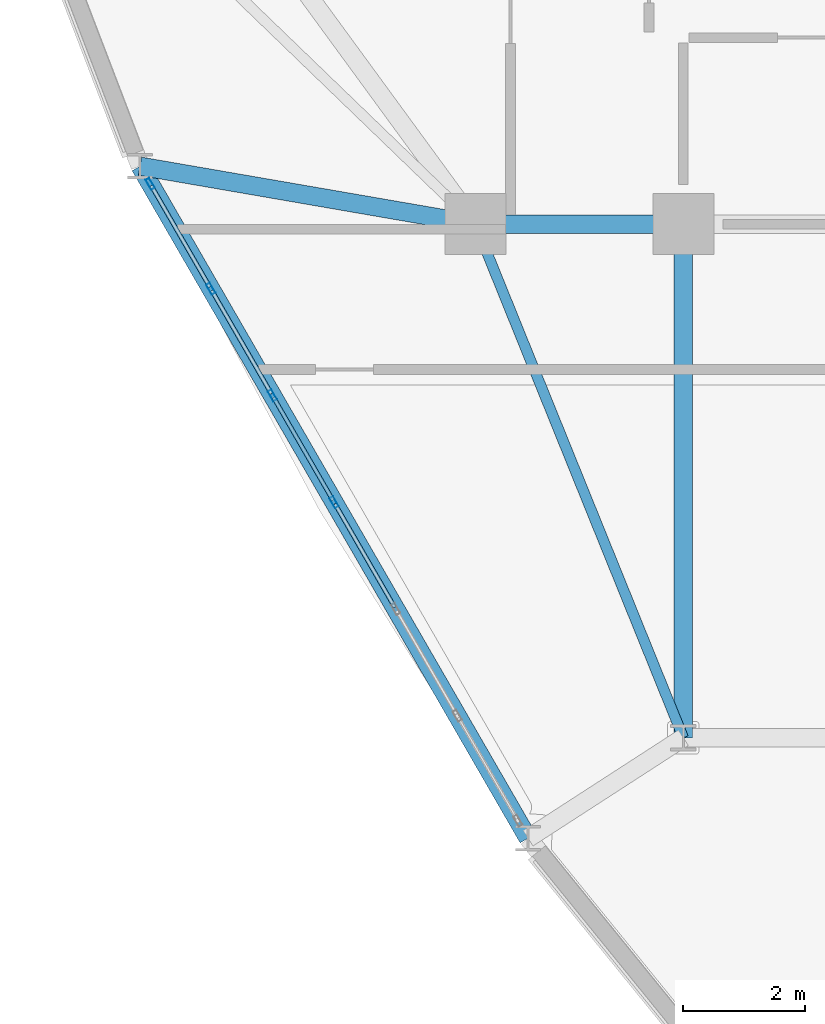
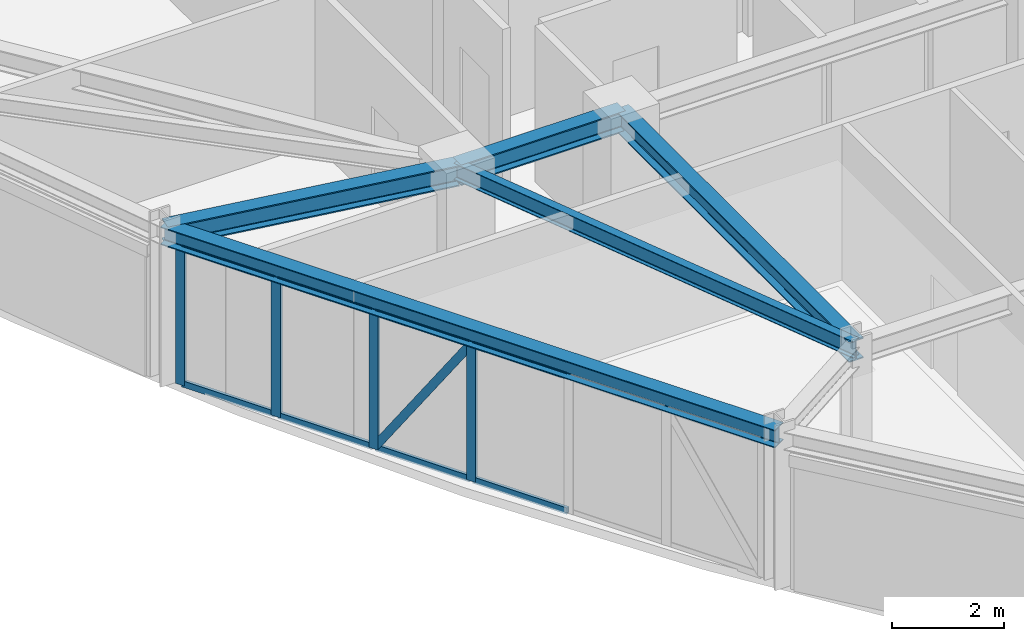
# One storey, part 4 of 14: 13 members, 5 beams, 1 element without a shape of its own.
"""IFC4 building model written with IfcOpenShell, lengths in metres."""

from ifc_helpers import new_model, si_unit, derived_unit, direction, frame, origin, origin_2d, place, context, subcontext, project, spatial, hollow_rectangle, i_section, extrude, source, transform, mapped, material, layer, layer_set, material_profile, profile_set, type_object, element, aggregate, save


model = new_model("IFC4")

# Units and contexts
model_context = context("Model", 3, precision=1e-05, world=origin(), true_north=direction((0.0, 1.0)))
body_context = subcontext(model_context, "Body", "Model", "MODEL_VIEW")
ifc_project = project(units=[si_unit("LENGTHUNIT", "METRE"), si_unit("AREAUNIT", "SQUARE_METRE"), si_unit("VOLUMEUNIT", "CUBIC_METRE"), si_unit("PLANEANGLEUNIT", "RADIAN"), si_unit("MASSUNIT", "GRAM", prefix="KILO"), derived_unit("THERMALTRANSMITTANCEUNIT", [(si_unit("POWERUNIT", "WATT"), 1), (si_unit("LENGTHUNIT", "METRE"), -2), (si_unit("THERMODYNAMICTEMPERATUREUNIT", "KELVIN"), -1)])], contexts=[model_context])

# Site, building, storey
site_placement = place(None, origin())
site = spatial("IfcSite", under=ifc_project, at=site_placement, CompositionType="ELEMENT")
building_placement = place(site_placement, origin())
building = spatial("IfcBuilding", under=site, at=building_placement, Name="Korsvarv Bourse and Concert Hall", CompositionType="ELEMENT")
storey_placement = place(building_placement, frame((0.0, 0.0, 172.199951171875)))
storey = spatial("IfcBuildingStorey", under=building, at=storey_placement, Name="L44", CompositionType="ELEMENT", Elevation=172.199951171875)

# Beams
ifc_material_1 = material(Name="Steel S355", Category="steel")
ifc_material_profile_1 = material_profile(ifc_material_1, i_section(OverallWidth=0.169921875, OverallDepth=0.360107421875, WebThickness=0.008056640625, FlangeThickness=0.0126953125, FilletRadius=0.01806640625, at=origin_2d()), Name="IPE 360")
ifc_profile_set_1 = profile_set([ifc_material_profile_1], Name="Steel S355")
beam_type_1 = type_object("IfcBeamType", Name="BM-IPE360", PredefinedType="JOIST", material=ifc_profile_set_1)
shared_shape_1 = source(origin(), body_context, "Body", "SweptSolid", [
    extrude(i_section(OverallWidth=0.169921875, OverallDepth=0.360107421875, WebThickness=0.008056640625, FlangeThickness=0.0126953125, FilletRadius=0.01806640625, at=origin_2d()), origin(), (0.0, 0.0, 1.0), 9.06201171875),
])
beam_1_placement = place(storey_placement, frame((24.199951171875, 32.39990234375, 3.219970703125), z_axis=(0.375210394783, -0.926939674222, 0.0), x_axis=(0.926939674222, 0.375210394783, 0.0)))
element("IfcBeam", 1, at=beam_1_placement, inside=storey, type_object=beam_type_1, Name="L44 beam J-06", PredefinedType="JOIST", context=body_context, shape_type="MappedRepresentation", body=[
    mapped(shared_shape_1, transform((0.0, 0.0, 0.0), scale=1.0)),
])
ifc_material_profile_2 = material_profile(ifc_material_1, i_section(OverallWidth=0.300048828125, OverallDepth=0.449951171875, WebThickness=0.013916015625, FlangeThickness=0.02587890625, FilletRadius=0.02099609375, at=origin_2d()), Name="HEB 450")
ifc_profile_set_2 = profile_set([ifc_material_profile_2], Name="Steel S355")
beam_type_2 = type_object("IfcBeamType", Name="BM-HEB450", PredefinedType="SPANDREL", material=ifc_profile_set_2)
shared_shape_2 = source(origin(), body_context, "Body", "SweptSolid", [
    extrude(i_section(OverallWidth=0.300048828125, OverallDepth=0.449951171875, WebThickness=0.013916015625, FlangeThickness=0.02587890625, FilletRadius=0.02099609375, at=origin_2d()), origin(), (0.0, 0.0, 1.0), 3.400146484375),
])
beam_2_placement = place(storey_placement, frame((24.199951171875, 32.39990234375, 3.175048828125), z_axis=(1.0, 0.0, 0.0), x_axis=(0.0, 1.0, 0.0)))
element("IfcBeam", 2, at=beam_2_placement, inside=storey, type_object=beam_type_2, Name="L44 beam B-08", PredefinedType="SPANDREL", context=body_context, shape_type="MappedRepresentation", body=[
    mapped(shared_shape_2, transform((0.0, 0.0, 0.0), scale=1.0)),
])
shared_shape_3 = source(origin(), body_context, "Body", "SweptSolid", [
    extrude(i_section(OverallWidth=0.300048828125, OverallDepth=0.449951171875, WebThickness=0.013916015625, FlangeThickness=0.02587890625, FilletRadius=0.02099609375, at=origin_2d()), origin(), (0.0, 0.0, 1.0), 8.39990234375),
])
beam_3_placement = place(storey_placement, frame((27.60009765625, 24.0, 3.175048828125), z_axis=(0.0, 1.0, 0.0), x_axis=(-1.0, 0.0, 0.0)))
element("IfcBeam", 3, at=beam_3_placement, inside=storey, type_object=beam_type_2, Name="L44 beam B-08", PredefinedType="SPANDREL", context=body_context, shape_type="MappedRepresentation", body=[
    mapped(shared_shape_3, transform((0.0, 0.0, 0.0), scale=1.0)),
])
shared_shape_4 = source(origin(), body_context, "Body", "SweptSolid", [
    extrude(i_section(OverallWidth=0.300048828125, OverallDepth=0.449951171875, WebThickness=0.013916015625, FlangeThickness=0.02587890625, FilletRadius=0.02099609375, at=origin_2d()), origin(), (0.0, 0.0, 1.0), 5.56689453125),
])
beam_4_placement = place(storey_placement, frame((18.71435546875, 33.347900390625, 3.175048828125), z_axis=(0.985393700019, -0.170291679077, 0.0), x_axis=(0.170291679077, 0.985393700019, 0.0)))
element("IfcBeam", 4, at=beam_4_placement, inside=storey, type_object=beam_type_2, Name="L44 beam B-08", PredefinedType="SPANDREL", context=body_context, shape_type="MappedRepresentation", body=[
    mapped(shared_shape_4, transform((0.0, 0.0, 0.0), scale=1.0)),
])
ifc_material_profile_3 = material_profile(ifc_material_1, i_section(OverallWidth=0.300048828125, OverallDepth=0.389892578125, WebThickness=0.010986328125, FlangeThickness=0.01904296875, FilletRadius=0.02099609375, at=origin_2d()), Name="HEA 400")
ifc_profile_set_3 = profile_set([ifc_material_profile_3], Name="Steel S355")
beam_type_3 = type_object("IfcBeamType", Name="BM-HEA400", PredefinedType="BEAM", material=ifc_profile_set_3)
shared_shape_5 = source(origin(), body_context, "Body", "SweptSolid", [
    extrude(i_section(OverallWidth=0.300048828125, OverallDepth=0.389892578125, WebThickness=0.010986328125, FlangeThickness=0.01904296875, FilletRadius=0.02099609375, at=origin_2d()), origin(), (0.0, 0.0, 1.0), 12.692138671875),
])
beam_5_placement = place(storey_placement, frame((18.71435546875, 33.347900390625, 3.205078125), z_axis=(0.499993308569, -0.866029267049, 0.0), x_axis=(0.866029267049, 0.499993308569, 0.0)))
element("IfcBeam", 5, at=beam_5_placement, inside=storey, type_object=beam_type_3, Name="L44 beam B-11", PredefinedType="BEAM", context=body_context, shape_type="MappedRepresentation", body=[
    mapped(shared_shape_5, transform((0.0, 0.0, 0.0), scale=1.0)),
])

# Curtain wall, members
ifc_material_2 = material(Name="Anodised aluminium and triple low-E glazing", Category="glass")
ifc_layer = layer(ifc_material_2, 0.199951171875)
ifc_layer_set = layer_set([ifc_layer], Name="Anodised aluminium and triple low-E glazing")
curtain_wall_type = type_object("IfcCurtainWallType", Name="CW-SYS-3", PredefinedType="NOTDEFINED", material=ifc_layer_set)
curtain_wall_placement = place(storey_placement, origin())
curtain_wall = element("IfcCurtainWall", 6, at=curtain_wall_placement, inside=storey, type_object=curtain_wall_type, Name="L44 CW3 curtain wall CW-L44-F07", PredefinedType="NOTDEFINED")
ifc_material_3 = material(Name="Extruded aluminium EN AW-6063 T66", Category="aluminium")
ifc_material_profile_4 = material_profile(ifc_material_3, hollow_rectangle(XDim=0.06494140625, YDim=0.1650390625, WallThickness=0.0048828125, at=origin_2d()), Name="ALU-M 65x165")
ifc_profile_set_4 = profile_set([ifc_material_profile_4], Name="Extruded aluminium EN AW-6063 T66")
member_type_1 = type_object("IfcMemberType", Name="CWM-165", PredefinedType="MULLION", material=ifc_profile_set_4)
shared_shape_6 = source(origin(), body_context, "Body", "SweptSolid", [
    extrude(hollow_rectangle(XDim=0.06494140625, YDim=0.1650390625, WallThickness=0.0048828125, at=origin_2d()), origin(), (0.0, 0.0, 1.0), 3.475830078125),
])
member_1_placement = place(storey_placement, frame((20.89697265625, 29.567626953125, 0.06494140625), z_axis=(0.279898485339, -0.484853009861, 0.828597849824), x_axis=(0.866049790024, 0.499957759415, 0.0)))
member_1 = element("IfcMember", 7, at=member_1_placement, type_object=member_type_1, Name="CW3 diagonal mullion 3", PredefinedType="MULLION", context=body_context, shape_type="MappedRepresentation", body=[
    mapped(shared_shape_6, transform((0.0, 0.0, 0.0), scale=1.0)),
])
ifc_material_profile_5 = material_profile(ifc_material_3, hollow_rectangle(XDim=0.070068359375, YDim=0.18994140625, WallThickness=0.0048828125, at=origin_2d()), Name="ALU-M 70x190")
ifc_profile_set_5 = profile_set([ifc_material_profile_5], Name="Extruded aluminium EN AW-6063 T66")
member_type_2 = type_object("IfcMemberType", Name="CWM-190", PredefinedType="MULLION", material=ifc_profile_set_5)
shared_shape_7 = source(origin(), body_context, "Body", "SweptSolid", [
    extrude(hollow_rectangle(XDim=0.070068359375, YDim=0.18994140625, WallThickness=0.0048828125, at=origin_2d()), origin(), (0.0, 0.0, 1.0), 3.010009765625),
])
member_2_placement = place(storey_placement, frame((18.880859375, 33.0595703125, 0.0), z_axis=(0.0, 0.0, 1.0), x_axis=(0.866028642731, 0.499994389938, 0.0)))
member_2 = element("IfcMember", 8, at=member_2_placement, type_object=member_type_2, Name="CW3 mullion 1", PredefinedType="MULLION", context=body_context, shape_type="MappedRepresentation", body=[
    mapped(shared_shape_7, transform((0.0, 0.0, 0.0), scale=1.0)),
])
member_3_placement = place(storey_placement, frame((19.871337890625, 31.343994140625, 0.0), z_axis=(0.0, 0.0, 1.0), x_axis=(0.866028642731, 0.499994389938, 0.0)))
member_3 = element("IfcMember", 9, at=member_3_placement, type_object=member_type_2, Name="CW3 mullion 2", PredefinedType="MULLION", context=body_context, shape_type="MappedRepresentation", body=[
    mapped(shared_shape_7, transform((0.0, 0.0, 0.0), scale=1.0)),
])
member_4_placement = place(storey_placement, frame((20.87939453125, 29.59814453125, 0.0), z_axis=(0.0, 0.0, 1.0), x_axis=(0.866028642731, 0.499994389938, 0.0)))
member_4 = element("IfcMember", 10, at=member_4_placement, type_object=member_type_2, Name="CW3 mullion 3", PredefinedType="MULLION", context=body_context, shape_type="MappedRepresentation", body=[
    mapped(shared_shape_7, transform((0.0, 0.0, 0.0), scale=1.0)),
])
member_5_placement = place(storey_placement, frame((21.887451171875, 27.85205078125, 0.0), z_axis=(0.0, 0.0, 1.0), x_axis=(0.866028642731, 0.499994389938, 0.0)))
member_5 = element("IfcMember", 11, at=member_5_placement, type_object=member_type_2, Name="CW3 mullion 4", PredefinedType="MULLION", context=body_context, shape_type="MappedRepresentation", body=[
    mapped(shared_shape_7, transform((0.0, 0.0, 0.0), scale=1.0)),
])
ifc_material_profile_6 = material_profile(ifc_material_3, hollow_rectangle(XDim=0.06494140625, YDim=0.139892578125, WallThickness=0.00390625, at=origin_2d()), Name="ALU-T 65x140")
ifc_profile_set_6 = profile_set([ifc_material_profile_6], Name="Extruded aluminium EN AW-6063 T66")
member_type_3 = type_object("IfcMemberType", Name="CWT-140", PredefinedType="USERDEFINED", material=ifc_profile_set_6)
shared_shape_8 = source(origin(), body_context, "Body", "SweptSolid", [
    extrude(hollow_rectangle(XDim=0.06494140625, YDim=0.139892578125, WallThickness=0.00390625, at=origin_2d()), origin(), (0.0, 0.0, 1.0), 1.9111328125),
])
member_6_placement = place(storey_placement, frame((18.8984375, 33.029296875, 0.032470703125), z_axis=(0.500013655634, -0.866017519557, 0.0), x_axis=(0.866017519557, 0.500013655634, 0.0)))
member_6 = element("IfcMember", 12, at=member_6_placement, type_object=member_type_3, Name="CW3 transom 1.1", ObjectType="TRANSOM", PredefinedType="USERDEFINED", context=body_context, shape_type="MappedRepresentation", body=[
    mapped(shared_shape_8, transform((0.0, 0.0, 0.0), scale=1.0)),
])
member_7_placement = place(storey_placement, frame((18.8984375, 33.029296875, 2.9775390625), z_axis=(0.500013655634, -0.866017519557, 0.0), x_axis=(0.866017519557, 0.500013655634, 0.0)))
member_7 = element("IfcMember", 13, at=member_7_placement, type_object=member_type_3, Name="CW3 transom 1.2", ObjectType="TRANSOM", PredefinedType="USERDEFINED", context=body_context, shape_type="MappedRepresentation", body=[
    mapped(shared_shape_8, transform((0.0, 0.0, 0.0), scale=1.0)),
])
shared_shape_9 = source(origin(), body_context, "Body", "SweptSolid", [
    extrude(hollow_rectangle(XDim=0.06494140625, YDim=0.139892578125, WallThickness=0.00390625, at=origin_2d()), origin(), (0.0, 0.0, 1.0), 1.946044921875),
])
member_8_placement = place(storey_placement, frame((19.888916015625, 31.313720703125, 0.032470703125), z_axis=(0.499957759415, -0.866049790024, 0.0), x_axis=(0.866049790024, 0.499957759415, 0.0)))
member_8 = element("IfcMember", 14, at=member_8_placement, type_object=member_type_3, Name="CW3 transom 2.1", ObjectType="TRANSOM", PredefinedType="USERDEFINED", context=body_context, shape_type="MappedRepresentation", body=[
    mapped(shared_shape_9, transform((0.0, 0.0, 0.0), scale=1.0)),
])
member_9_placement = place(storey_placement, frame((19.888916015625, 31.313720703125, 2.9775390625), z_axis=(0.499957759415, -0.866049790024, 0.0), x_axis=(0.866049790024, 0.499957759415, 0.0)))
member_9 = element("IfcMember", 15, at=member_9_placement, type_object=member_type_3, Name="CW3 transom 2.2", ObjectType="TRANSOM", PredefinedType="USERDEFINED", context=body_context, shape_type="MappedRepresentation", body=[
    mapped(shared_shape_9, transform((0.0, 0.0, 0.0), scale=1.0)),
])
member_10_placement = place(storey_placement, frame((20.89697265625, 29.567626953125, 0.032470703125), z_axis=(0.499957759415, -0.866049790024, 0.0), x_axis=(0.866049790024, 0.499957759415, 0.0)))
member_10 = element("IfcMember", 16, at=member_10_placement, type_object=member_type_3, Name="CW3 transom 3.1", ObjectType="TRANSOM", PredefinedType="USERDEFINED", context=body_context, shape_type="MappedRepresentation", body=[
    mapped(shared_shape_9, transform((0.0, 0.0, 0.0), scale=1.0)),
])
member_11_placement = place(storey_placement, frame((20.89697265625, 29.567626953125, 2.9775390625), z_axis=(0.499957759415, -0.866049790024, 0.0), x_axis=(0.866049790024, 0.499957759415, 0.0)))
member_11 = element("IfcMember", 17, at=member_11_placement, type_object=member_type_3, Name="CW3 transom 3.2", ObjectType="TRANSOM", PredefinedType="USERDEFINED", context=body_context, shape_type="MappedRepresentation", body=[
    mapped(shared_shape_9, transform((0.0, 0.0, 0.0), scale=1.0)),
])
member_12_placement = place(storey_placement, frame((21.90478515625, 27.82177734375, 0.032470703125), z_axis=(0.500051850797, -0.865995465643, 0.0), x_axis=(0.865995465643, 0.500051850797, 0.0)))
member_12 = element("IfcMember", 18, at=member_12_placement, type_object=member_type_3, Name="CW3 transom 4.1", ObjectType="TRANSOM", PredefinedType="USERDEFINED", context=body_context, shape_type="MappedRepresentation", body=[
    mapped(shared_shape_9, transform((0.0, 0.0, 0.0), scale=1.0)),
])
member_13_placement = place(storey_placement, frame((21.90478515625, 27.82177734375, 2.9775390625), z_axis=(0.500051850797, -0.865995465643, 0.0), x_axis=(0.865995465643, 0.500051850797, 0.0)))
member_13 = element("IfcMember", 19, at=member_13_placement, type_object=member_type_3, Name="CW3 transom 4.2", ObjectType="TRANSOM", PredefinedType="USERDEFINED", context=body_context, shape_type="MappedRepresentation", body=[
    mapped(shared_shape_9, transform((0.0, 0.0, 0.0), scale=1.0)),
])
aggregate(curtain_wall, [member_2, member_3, member_4, member_5, member_6, member_7, member_8, member_9, member_10, member_11, member_1, member_12, member_13])

save(model, "model.ifc")
